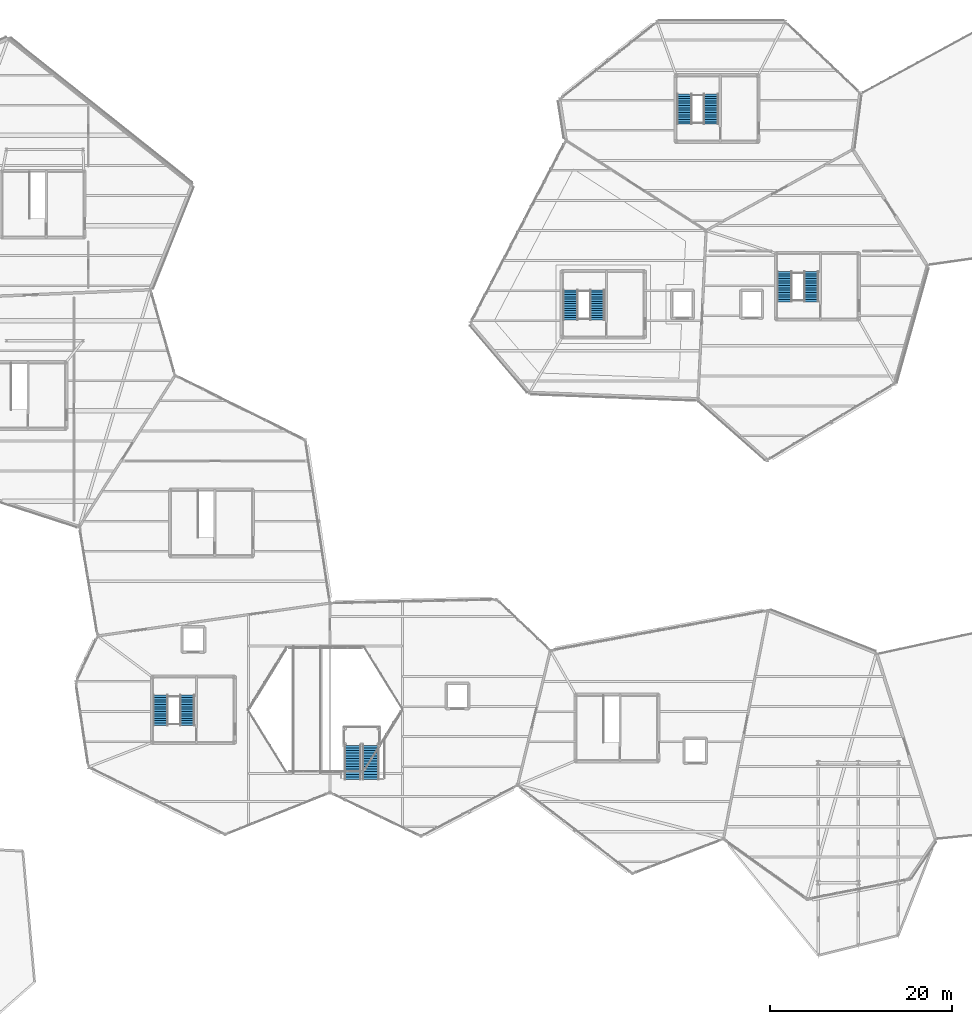
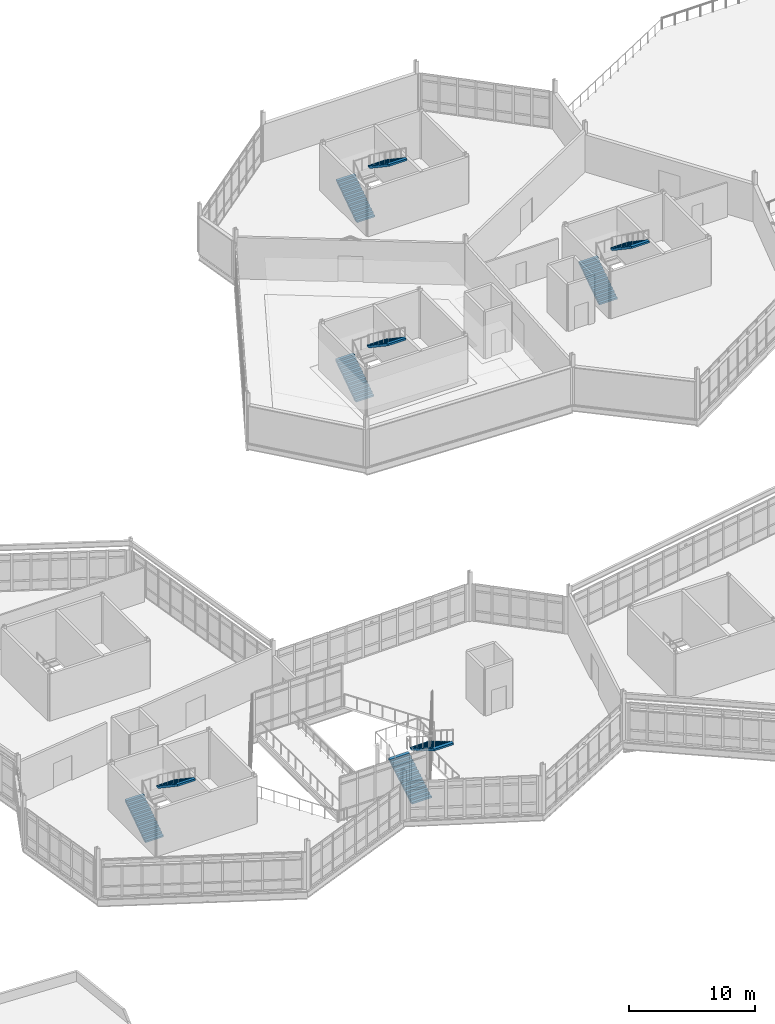
# One storey, part 67 of 76: 10 stair flights, 5 elements without a shape of their own.
"""IFC4 building model written with IfcOpenShell, lengths in metres."""

from ifc_helpers import new_model, si_unit, direction, frame, origin, place, context, subcontext, project, spatial, polyline, outline, extrude, material, type_object, element, aggregate, save


model = new_model("IFC4")

# Units and contexts
model_context = context("Model", 3, precision=1e-05, world=origin(), true_north=direction((0.0, 1.0)))
body_context = subcontext(model_context, "Body", "Model", "MODEL_VIEW")
ifc_project = project(units=[si_unit("LENGTHUNIT", "METRE"), si_unit("AREAUNIT", "SQUARE_METRE"), si_unit("VOLUMEUNIT", "CUBIC_METRE"), si_unit("PLANEANGLEUNIT", "RADIAN"), si_unit("MASSUNIT", "GRAM", prefix="KILO")], contexts=[model_context])

# Site, building, storey
site_placement = place(None, origin())
site = spatial("IfcSite", under=ifc_project, at=site_placement, CompositionType="ELEMENT")
building_placement = place(site_placement, origin())
building = spatial("IfcBuilding", under=site, at=building_placement, Name="Tameran Prism Museum", CompositionType="ELEMENT")
storey_placement = place(building_placement, frame((0.0, 0.0, 15.0)))
storey = spatial("IfcBuildingStorey", under=building, at=storey_placement, Name="L03", CompositionType="ELEMENT", Elevation=15.0)

# Stair, stair flights
ifc_material_1 = material(Name="Concrete N40 (40 MPa)", Category="concrete")
stair_type_1 = type_object("IfcStairType", Name="ST-CORE-48", PredefinedType="HALF_TURN_STAIR", material=ifc_material_1)
stair_1_placement = place(storey_placement, origin())
stair_1 = element("IfcStair", 1, at=stair_1_placement, inside=storey, type_object=stair_type_1, Name="Fire-Isolated Stair ST-01-L03", PredefinedType="HALF_TURN_STAIR")
ifc_material_2 = material(Name="Concrete N40 (40 MPa)", Category="concrete")
stair_flight_type_1 = type_object("IfcStairFlightType", Name="SF-RC-165", PredefinedType="STRAIGHT", material=ifc_material_2)
stair_flight_1_placement = place(storey_placement, frame((103.9150390625, 79.280029296875, 0.0), z_axis=(0.0, 0.0, 1.0), x_axis=(0.0, 1.0, 0.0)))
stair_flight_1 = element("IfcStairFlight", 2, at=stair_flight_1_placement, type_object=stair_flight_type_1, Name="ST-01-L03 flight 1", NumberOfRisers=14, NumberOfTreads=13, PredefinedType="STRAIGHT", RiserHeight=0.171429, TreadLength=0.255, context=body_context, shape_type="SweptSolid", body=[
    extrude(outline(polyline([(0.0, 0.0), (0.0, 0.17138671875), (0.2548828125, 0.17138671875), (0.2548828125, 0.3427734375), (0.510009765625, 0.3427734375), (0.510009765625, 0.514404296875), (0.764892578125, 0.514404296875), (0.764892578125, 0.685791015625), (1.02001953125, 0.685791015625), (1.02001953125, 0.857177734375), (1.27490234375, 0.857177734375), (1.27490234375, 1.028564453125), (1.530029296875, 1.028564453125), (1.530029296875, 1.199951171875), (1.784912109375, 1.199951171875), (1.784912109375, 1.371337890625), (2.0400390625, 1.371337890625), (2.0400390625, 1.54296875), (2.294921875, 1.54296875), (2.294921875, 1.71435546875), (2.550048828125, 1.71435546875), (2.550048828125, 1.8857421875), (2.804931640625, 1.8857421875), (2.804931640625, 2.05712890625), (3.06005859375, 2.05712890625), (3.06005859375, 2.228515625), (3.31494140625, 2.228515625), (3.31494140625, 2.39990234375), (3.31494140625, 2.0478515625), (0.268798828125, 0.0), (0.0, 0.0)])), frame((0.0, 0.824951171875, 0.0), z_axis=(0.0, -1.0, 0.0), x_axis=(1.0, 0.0, 0.0)), (0.0, 0.0, 1.0), 1.64990234375),
])
stair_flight_2_placement = place(storey_placement, frame((106.8349609375, 82.594970703125, 2.39990234375), z_axis=(0.0, 0.0, 1.0), x_axis=(0.0, -1.0, 0.0)))
stair_flight_2 = element("IfcStairFlight", 3, at=stair_flight_2_placement, type_object=stair_flight_type_1, Name="ST-01-L03 flight 2", NumberOfRisers=14, NumberOfTreads=13, PredefinedType="STRAIGHT", RiserHeight=0.171429, TreadLength=0.255, context=body_context, shape_type="SweptSolid", body=[
    extrude(outline(polyline([(0.0, 0.0), (0.0, 0.17138671875), (0.2548828125, 0.17138671875), (0.2548828125, 0.3427734375), (0.510009765625, 0.3427734375), (0.510009765625, 0.514404296875), (0.764892578125, 0.514404296875), (0.764892578125, 0.685791015625), (1.02001953125, 0.685791015625), (1.02001953125, 0.857177734375), (1.27490234375, 0.857177734375), (1.27490234375, 1.028564453125), (1.530029296875, 1.028564453125), (1.530029296875, 1.199951171875), (1.784912109375, 1.199951171875), (1.784912109375, 1.371337890625), (2.0400390625, 1.371337890625), (2.0400390625, 1.54296875), (2.294921875, 1.54296875), (2.294921875, 1.71435546875), (2.550048828125, 1.71435546875), (2.550048828125, 1.8857421875), (2.804931640625, 1.8857421875), (2.804931640625, 2.05712890625), (3.06005859375, 2.05712890625), (3.06005859375, 2.228515625), (3.31494140625, 2.228515625), (3.31494140625, 2.39990234375), (3.31494140625, 2.0478515625), (0.268798828125, 0.0), (0.0, 0.0)])), frame((0.0, 0.824951171875, 0.0), z_axis=(0.0, -1.0, 0.0), x_axis=(1.0, 0.0, 0.0)), (0.0, 0.0, 1.0), 1.64990234375),
])
aggregate(stair_1, [stair_flight_1, stair_flight_2])

stair_2_placement = place(storey_placement, origin())
stair_2 = element("IfcStair", 4, at=stair_2_placement, inside=storey, type_object=stair_type_1, Name="Fire-Isolated Stair ST-02-L03", PredefinedType="HALF_TURN_STAIR")
stair_flight_3_placement = place(storey_placement, frame((127.4150390625, 81.280029296875, 0.0), z_axis=(0.0, 0.0, 1.0), x_axis=(0.0, 1.0, 0.0)))
stair_flight_3 = element("IfcStairFlight", 5, at=stair_flight_3_placement, type_object=stair_flight_type_1, Name="ST-02-L03 flight 1", NumberOfRisers=14, NumberOfTreads=13, PredefinedType="STRAIGHT", RiserHeight=0.171429, TreadLength=0.255, context=body_context, shape_type="SweptSolid", body=[
    extrude(outline(polyline([(0.0, 0.0), (0.0, 0.17138671875), (0.2548828125, 0.17138671875), (0.2548828125, 0.3427734375), (0.510009765625, 0.3427734375), (0.510009765625, 0.514404296875), (0.764892578125, 0.514404296875), (0.764892578125, 0.685791015625), (1.02001953125, 0.685791015625), (1.02001953125, 0.857177734375), (1.27490234375, 0.857177734375), (1.27490234375, 1.028564453125), (1.530029296875, 1.028564453125), (1.530029296875, 1.199951171875), (1.784912109375, 1.199951171875), (1.784912109375, 1.371337890625), (2.0400390625, 1.371337890625), (2.0400390625, 1.54296875), (2.294921875, 1.54296875), (2.294921875, 1.71435546875), (2.550048828125, 1.71435546875), (2.550048828125, 1.8857421875), (2.804931640625, 1.8857421875), (2.804931640625, 2.05712890625), (3.06005859375, 2.05712890625), (3.06005859375, 2.228515625), (3.31494140625, 2.228515625), (3.31494140625, 2.39990234375), (3.31494140625, 2.0478515625), (0.268798828125, 0.0), (0.0, 0.0)])), frame((0.0, 0.824951171875, 0.0), z_axis=(0.0, -1.0, 0.0), x_axis=(1.0, 0.0, 0.0)), (0.0, 0.0, 1.0), 1.64990234375),
])
stair_flight_4_placement = place(storey_placement, frame((130.3349609375, 84.594970703125, 2.39990234375), z_axis=(0.0, 0.0, 1.0), x_axis=(0.0, -1.0, 0.0)))
stair_flight_4 = element("IfcStairFlight", 6, at=stair_flight_4_placement, type_object=stair_flight_type_1, Name="ST-02-L03 flight 2", NumberOfRisers=14, NumberOfTreads=13, PredefinedType="STRAIGHT", RiserHeight=0.171429, TreadLength=0.255, context=body_context, shape_type="SweptSolid", body=[
    extrude(outline(polyline([(0.0, 0.0), (0.0, 0.17138671875), (0.2548828125, 0.17138671875), (0.2548828125, 0.3427734375), (0.510009765625, 0.3427734375), (0.510009765625, 0.514404296875), (0.764892578125, 0.514404296875), (0.764892578125, 0.685791015625), (1.02001953125, 0.685791015625), (1.02001953125, 0.857177734375), (1.27490234375, 0.857177734375), (1.27490234375, 1.028564453125), (1.530029296875, 1.028564453125), (1.530029296875, 1.199951171875), (1.784912109375, 1.199951171875), (1.784912109375, 1.371337890625), (2.0400390625, 1.371337890625), (2.0400390625, 1.54296875), (2.294921875, 1.54296875), (2.294921875, 1.71435546875), (2.550048828125, 1.71435546875), (2.550048828125, 1.8857421875), (2.804931640625, 1.8857421875), (2.804931640625, 2.05712890625), (3.06005859375, 2.05712890625), (3.06005859375, 2.228515625), (3.31494140625, 2.228515625), (3.31494140625, 2.39990234375), (3.31494140625, 2.0478515625), (0.268798828125, 0.0), (0.0, 0.0)])), frame((0.0, 0.824951171875, 0.0), z_axis=(0.0, -1.0, 0.0), x_axis=(1.0, 0.0, 0.0)), (0.0, 0.0, 1.0), 1.64990234375),
])
aggregate(stair_2, [stair_flight_3, stair_flight_4])

stair_3_placement = place(storey_placement, origin())
stair_3 = element("IfcStair", 7, at=stair_3_placement, inside=storey, type_object=stair_type_1, Name="Fire-Isolated Stair ST-07-L03", PredefinedType="HALF_TURN_STAIR")
stair_flight_5_placement = place(storey_placement, frame((116.4150390625, 100.780029296875, 0.0), z_axis=(0.0, 0.0, 1.0), x_axis=(0.0, 1.0, 0.0)))
stair_flight_5 = element("IfcStairFlight", 8, at=stair_flight_5_placement, type_object=stair_flight_type_1, Name="ST-07-L03 flight 1", NumberOfRisers=14, NumberOfTreads=13, PredefinedType="STRAIGHT", RiserHeight=0.171429, TreadLength=0.255, context=body_context, shape_type="SweptSolid", body=[
    extrude(outline(polyline([(0.0, 0.0), (0.0, 0.17138671875), (0.2548828125, 0.17138671875), (0.2548828125, 0.3427734375), (0.510009765625, 0.3427734375), (0.510009765625, 0.514404296875), (0.764892578125, 0.514404296875), (0.764892578125, 0.685791015625), (1.02001953125, 0.685791015625), (1.02001953125, 0.857177734375), (1.27490234375, 0.857177734375), (1.27490234375, 1.028564453125), (1.530029296875, 1.028564453125), (1.530029296875, 1.199951171875), (1.784912109375, 1.199951171875), (1.784912109375, 1.371337890625), (2.0400390625, 1.371337890625), (2.0400390625, 1.54296875), (2.294921875, 1.54296875), (2.294921875, 1.71435546875), (2.550048828125, 1.71435546875), (2.550048828125, 1.8857421875), (2.804931640625, 1.8857421875), (2.804931640625, 2.05712890625), (3.06005859375, 2.05712890625), (3.06005859375, 2.228515625), (3.31494140625, 2.228515625), (3.31494140625, 2.39990234375), (3.31494140625, 2.0478515625), (0.268798828125, 0.0), (0.0, 0.0)])), frame((0.0, 0.824951171875, 0.0), z_axis=(0.0, -1.0, 0.0), x_axis=(1.0, 0.0, 0.0)), (0.0, 0.0, 1.0), 1.64990234375),
])
stair_flight_6_placement = place(storey_placement, frame((119.3349609375, 104.094970703125, 2.39990234375), z_axis=(0.0, 0.0, 1.0), x_axis=(0.0, -1.0, 0.0)))
stair_flight_6 = element("IfcStairFlight", 9, at=stair_flight_6_placement, type_object=stair_flight_type_1, Name="ST-07-L03 flight 2", NumberOfRisers=14, NumberOfTreads=13, PredefinedType="STRAIGHT", RiserHeight=0.171429, TreadLength=0.255, context=body_context, shape_type="SweptSolid", body=[
    extrude(outline(polyline([(0.0, 0.0), (0.0, 0.17138671875), (0.2548828125, 0.17138671875), (0.2548828125, 0.3427734375), (0.510009765625, 0.3427734375), (0.510009765625, 0.514404296875), (0.764892578125, 0.514404296875), (0.764892578125, 0.685791015625), (1.02001953125, 0.685791015625), (1.02001953125, 0.857177734375), (1.27490234375, 0.857177734375), (1.27490234375, 1.028564453125), (1.530029296875, 1.028564453125), (1.530029296875, 1.199951171875), (1.784912109375, 1.199951171875), (1.784912109375, 1.371337890625), (2.0400390625, 1.371337890625), (2.0400390625, 1.54296875), (2.294921875, 1.54296875), (2.294921875, 1.71435546875), (2.550048828125, 1.71435546875), (2.550048828125, 1.8857421875), (2.804931640625, 1.8857421875), (2.804931640625, 2.05712890625), (3.06005859375, 2.05712890625), (3.06005859375, 2.228515625), (3.31494140625, 2.228515625), (3.31494140625, 2.39990234375), (3.31494140625, 2.0478515625), (0.268798828125, 0.0), (0.0, 0.0)])), frame((0.0, 0.824951171875, 0.0), z_axis=(0.0, -1.0, 0.0), x_axis=(1.0, 0.0, 0.0)), (0.0, 0.0, 1.0), 1.64990234375),
])
aggregate(stair_3, [stair_flight_5, stair_flight_6])

stair_4_placement = place(storey_placement, origin())
stair_4 = element("IfcStair", 10, at=stair_4_placement, inside=storey, type_object=stair_type_1, Name="Fire-Isolated Stair ST-03-L03", PredefinedType="HALF_TURN_STAIR")
stair_flight_7_placement = place(storey_placement, frame((58.9150390625, 34.780029296875, 0.0), z_axis=(0.0, 0.0, 1.0), x_axis=(0.0, 1.0, 0.0)))
stair_flight_7 = element("IfcStairFlight", 11, at=stair_flight_7_placement, type_object=stair_flight_type_1, Name="ST-03-L03 flight 1", NumberOfRisers=14, NumberOfTreads=13, PredefinedType="STRAIGHT", RiserHeight=0.171429, TreadLength=0.255, context=body_context, shape_type="SweptSolid", body=[
    extrude(outline(polyline([(0.0, 0.0), (0.0, 0.17138671875), (0.2548828125, 0.17138671875), (0.2548828125, 0.3427734375), (0.510009765625, 0.3427734375), (0.510009765625, 0.514404296875), (0.764892578125, 0.514404296875), (0.764892578125, 0.685791015625), (1.02001953125, 0.685791015625), (1.02001953125, 0.857177734375), (1.27490234375, 0.857177734375), (1.27490234375, 1.028564453125), (1.530029296875, 1.028564453125), (1.530029296875, 1.199951171875), (1.784912109375, 1.199951171875), (1.784912109375, 1.371337890625), (2.0400390625, 1.371337890625), (2.0400390625, 1.54296875), (2.294921875, 1.54296875), (2.294921875, 1.71435546875), (2.550048828125, 1.71435546875), (2.550048828125, 1.8857421875), (2.804931640625, 1.8857421875), (2.804931640625, 2.05712890625), (3.06005859375, 2.05712890625), (3.06005859375, 2.228515625), (3.31494140625, 2.228515625), (3.31494140625, 2.39990234375), (3.31494140625, 2.0478515625), (0.268798828125, 0.0), (0.0, 0.0)])), frame((0.0, 0.824951171875, 0.0), z_axis=(0.0, -1.0, 0.0), x_axis=(1.0, 0.0, 0.0)), (0.0, 0.0, 1.0), 1.64990234375),
])
stair_flight_8_placement = place(storey_placement, frame((61.8349609375, 38.094970703125, 2.39990234375), z_axis=(0.0, 0.0, 1.0), x_axis=(0.0, -1.0, 0.0)))
stair_flight_8 = element("IfcStairFlight", 12, at=stair_flight_8_placement, type_object=stair_flight_type_1, Name="ST-03-L03 flight 2", NumberOfRisers=14, NumberOfTreads=13, PredefinedType="STRAIGHT", RiserHeight=0.171429, TreadLength=0.255, context=body_context, shape_type="SweptSolid", body=[
    extrude(outline(polyline([(0.0, 0.0), (0.0, 0.17138671875), (0.2548828125, 0.17138671875), (0.2548828125, 0.3427734375), (0.510009765625, 0.3427734375), (0.510009765625, 0.514404296875), (0.764892578125, 0.514404296875), (0.764892578125, 0.685791015625), (1.02001953125, 0.685791015625), (1.02001953125, 0.857177734375), (1.27490234375, 0.857177734375), (1.27490234375, 1.028564453125), (1.530029296875, 1.028564453125), (1.530029296875, 1.199951171875), (1.784912109375, 1.199951171875), (1.784912109375, 1.371337890625), (2.0400390625, 1.371337890625), (2.0400390625, 1.54296875), (2.294921875, 1.54296875), (2.294921875, 1.71435546875), (2.550048828125, 1.71435546875), (2.550048828125, 1.8857421875), (2.804931640625, 1.8857421875), (2.804931640625, 2.05712890625), (3.06005859375, 2.05712890625), (3.06005859375, 2.228515625), (3.31494140625, 2.228515625), (3.31494140625, 2.39990234375), (3.31494140625, 2.0478515625), (0.268798828125, 0.0), (0.0, 0.0)])), frame((0.0, 0.824951171875, 0.0), z_axis=(0.0, -1.0, 0.0), x_axis=(1.0, 0.0, 0.0)), (0.0, 0.0, 1.0), 1.64990234375),
])
aggregate(stair_4, [stair_flight_7, stair_flight_8])

ifc_material_3 = material(Name="Steel Grade 350 (350 MPa)", Category="steel")
stair_type_2 = type_object("IfcStairType", Name="ST-ATR-48", PredefinedType="STRAIGHT_RUN_STAIR", material=ifc_material_3)
stair_5_placement = place(storey_placement, origin())
stair_5 = element("IfcStair", 13, at=stair_5_placement, inside=storey, type_object=stair_type_2, Name="Atrium Feature Stair ST-AT4", PredefinedType="STRAIGHT_RUN_STAIR")
ifc_material_4 = material(Name="Steel Grade 350 (350 MPa)", Category="steel")
stair_flight_type_2 = type_object("IfcStairFlightType", Name="SF-STL-180", PredefinedType="STRAIGHT", material=ifc_material_4)
stair_flight_9_placement = place(storey_placement, frame((80.0, 28.820068359375, 0.0), z_axis=(0.0, 0.0, 1.0), x_axis=(0.0, 1.0, 0.0)))
stair_flight_9 = element("IfcStairFlight", 14, at=stair_flight_9_placement, type_object=stair_flight_type_2, Name="ST-AT4 flight 1", NumberOfRisers=14, NumberOfTreads=13, PredefinedType="STRAIGHT", RiserHeight=0.171429, TreadLength=0.29, context=body_context, shape_type="SweptSolid", body=[
    extrude(outline(polyline([(0.0, 0.0), (0.0, 0.17138671875), (0.2900390625, 0.17138671875), (0.2900390625, 0.3427734375), (0.580078125, 0.3427734375), (0.580078125, 0.514404296875), (0.8701171875, 0.514404296875), (0.8701171875, 0.685791015625), (1.159912109375, 0.685791015625), (1.159912109375, 0.857177734375), (1.449951171875, 0.857177734375), (1.449951171875, 1.028564453125), (1.739990234375, 1.028564453125), (1.739990234375, 1.199951171875), (2.030029296875, 1.199951171875), (2.030029296875, 1.371337890625), (2.320068359375, 1.371337890625), (2.320068359375, 1.54296875), (2.610107421875, 1.54296875), (2.610107421875, 1.71435546875), (2.89990234375, 1.71435546875), (2.89990234375, 1.8857421875), (3.18994140625, 1.8857421875), (3.18994140625, 2.05712890625), (3.47998046875, 2.05712890625), (3.47998046875, 2.228515625), (3.77001953125, 2.228515625), (3.77001953125, 2.39990234375), (3.77001953125, 2.054443359375), (0.294677734375, 0.0), (0.0, 0.0)])), frame((0.0, 0.89990234375, 0.0), z_axis=(0.0, -1.0, 0.0), x_axis=(1.0, 0.0, 0.0)), (0.0, 0.0, 1.0), 1.800048828125),
])
stair_flight_10_placement = place(storey_placement, frame((82.0, 32.590087890625, 2.39990234375), z_axis=(0.0, 0.0, 1.0), x_axis=(0.0, -1.0, 0.0)))
stair_flight_10 = element("IfcStairFlight", 15, at=stair_flight_10_placement, type_object=stair_flight_type_2, Name="ST-AT4 flight 2", NumberOfRisers=14, NumberOfTreads=13, PredefinedType="STRAIGHT", RiserHeight=0.171429, TreadLength=0.29, context=body_context, shape_type="SweptSolid", body=[
    extrude(outline(polyline([(0.0, 0.0), (0.0, 0.17138671875), (0.2900390625, 0.17138671875), (0.2900390625, 0.3427734375), (0.580078125, 0.3427734375), (0.580078125, 0.514404296875), (0.8701171875, 0.514404296875), (0.8701171875, 0.685791015625), (1.159912109375, 0.685791015625), (1.159912109375, 0.857177734375), (1.449951171875, 0.857177734375), (1.449951171875, 1.028564453125), (1.739990234375, 1.028564453125), (1.739990234375, 1.199951171875), (2.030029296875, 1.199951171875), (2.030029296875, 1.371337890625), (2.320068359375, 1.371337890625), (2.320068359375, 1.54296875), (2.610107421875, 1.54296875), (2.610107421875, 1.71435546875), (2.89990234375, 1.71435546875), (2.89990234375, 1.8857421875), (3.18994140625, 1.8857421875), (3.18994140625, 2.05712890625), (3.47998046875, 2.05712890625), (3.47998046875, 2.228515625), (3.77001953125, 2.228515625), (3.77001953125, 2.39990234375), (3.77001953125, 2.054443359375), (0.294677734375, 0.0), (0.0, 0.0)])), frame((0.0, 0.89990234375, 0.0), z_axis=(0.0, -1.0, 0.0), x_axis=(1.0, 0.0, 0.0)), (0.0, 0.0, 1.0), 1.800048828125),
])
aggregate(stair_5, [stair_flight_9, stair_flight_10])

save(model, "model.ifc")
